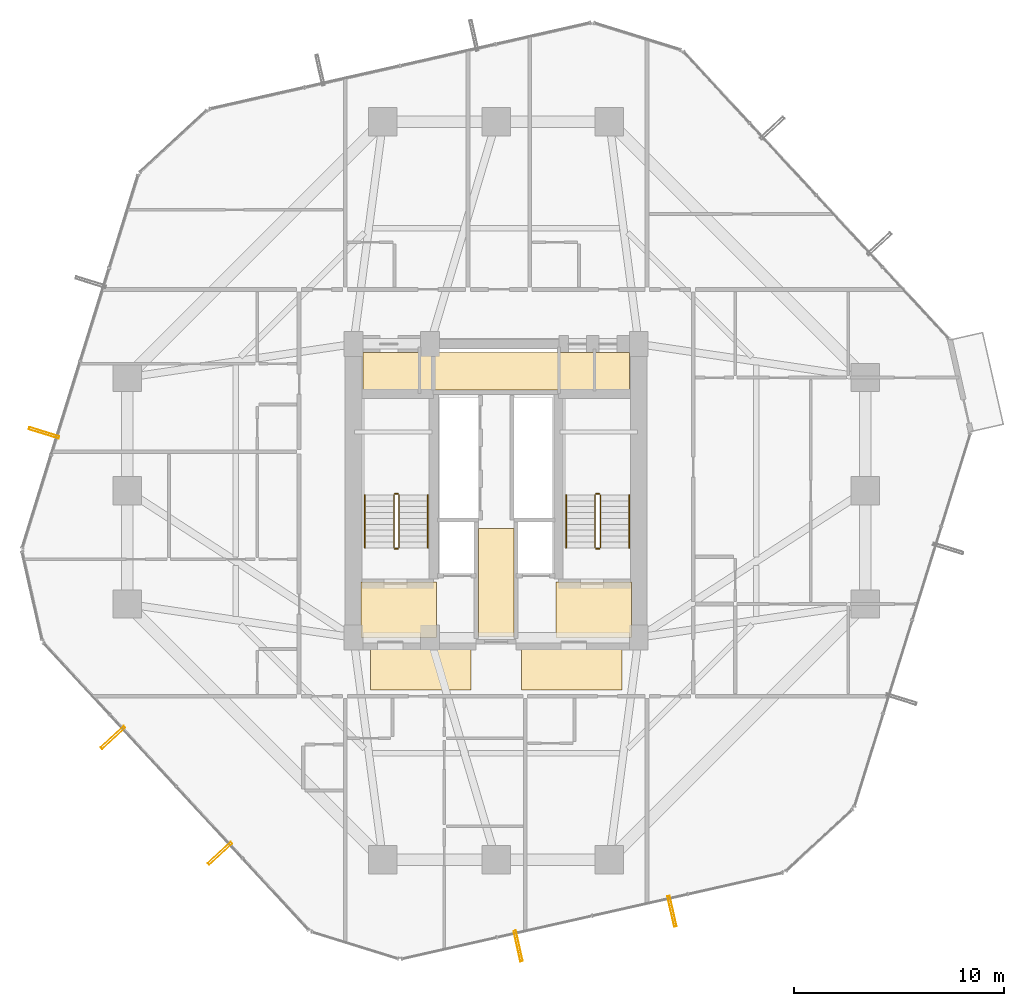
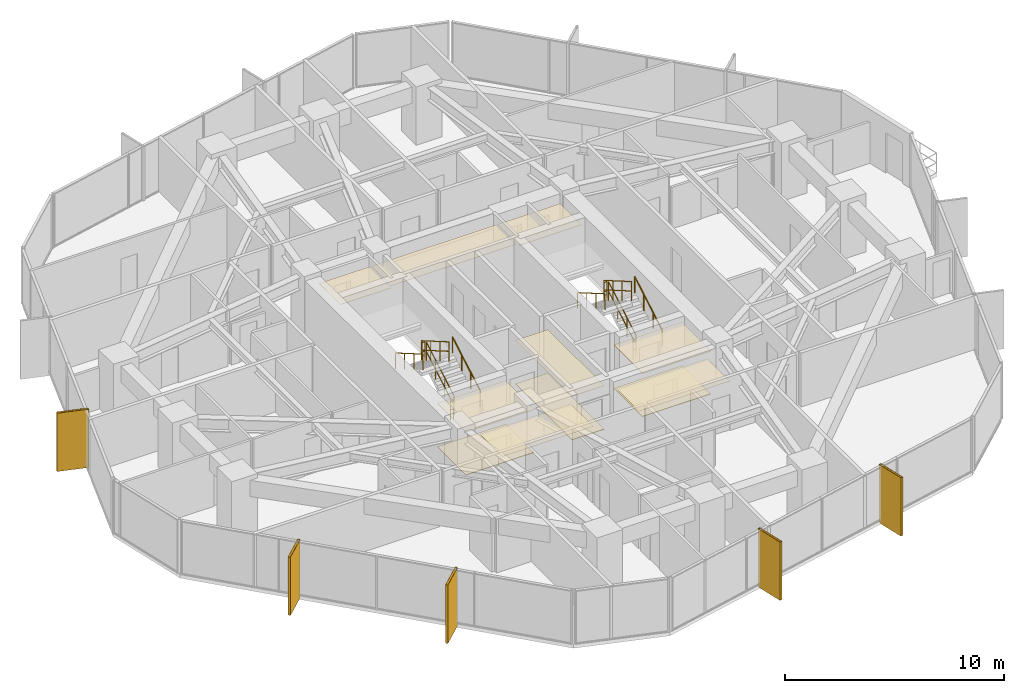
# One storey, part 38 of 39: 12 railings, 11 coverings, 5 shading devices.
"""IFC4 building model written with IfcOpenShell, lengths in metres."""

import ifcopenshell
import ifcopenshell.guid

model = None  # the IFC model being written
_history = None  # IfcOwnerHistory: only IFC2X3 demands one
_inside = {}  # id of a spatial element -> (the spatial element, [elements in it])
_under = {}  # id of a project, library or spatial element -> (it, [spatial elements below it])
_declared = {}  # id of a project -> (the project, [libraries it declares])
_typed = {}  # id of a type object -> (the type object, [elements of that type])
_made_of = {}  # id of a material, layer set ... -> (it, [elements and type objects made of it])


def new_model(schema):
    """Start an empty IFC model of exactly this schema.

    Asked for "IFC4X3", IfcOpenShell would pick the latest addendum, in which some entities
    have other attributes; the version numbers below select the first issue.
    IFC2X3 requires an IfcOwnerHistory on every rooted entity: one is made here for all.
    """
    global model, _history
    if schema == "IFC4X3":
        model = ifcopenshell.file(schema_version=(4, 3, 0, 0))
    else:
        model = ifcopenshell.file(schema=schema)
    _inside.clear()
    _under.clear()
    _declared.clear()
    _typed.clear()
    _made_of.clear()
    _history = None
    if model.schema == "IFC2X3":
        org = make("IfcOrganization", Name="unknown")
        user = make(
            "IfcPersonAndOrganization",
            ThePerson=make("IfcPerson", FamilyName="unknown"),
            TheOrganization=org,
        )
        app = make(
            "IfcApplication",
            ApplicationDeveloper=org,
            Version="unknown",
            ApplicationFullName="unknown",
            ApplicationIdentifier="unknown",
        )
        _history = make(
            "IfcOwnerHistory",
            OwningUser=user,
            OwningApplication=app,
            ChangeAction="ADDED",
            CreationDate=0,
        )
    return model


def make(cls, **values):
    """One entity of the class cls with the attributes given. An attribute that is None is left unset."""
    return model.create_entity(
        cls, **{name: value for name, value in values.items() if value is not None}
    )


def rooted(cls, **values):
    """An entity with a GlobalId (a new one), such as an element, a storey or a relation."""
    return make(cls, GlobalId=ifcopenshell.guid.new(), OwnerHistory=_history, **values)


def si_unit(unit_type, name, prefix=None):
    """IfcSIUnit, for example si_unit("LENGTHUNIT", "METRE", prefix="MILLI")."""
    return make("IfcSIUnit", UnitType=unit_type, Prefix=prefix, Name=name)


def assignment(units):
    """IfcUnitAssignment: the units of a project."""
    return None if units is None else make("IfcUnitAssignment", Units=units)


def point(xyz):
    """IfcCartesianPoint."""
    return None if xyz is None else make("IfcCartesianPoint", Coordinates=xyz)


def direction(xyz):
    """IfcDirection."""
    return None if xyz is None else make("IfcDirection", DirectionRatios=xyz)


def frame(location, z_axis=None, x_axis=None):
    """IfcAxis2Placement3D, a coordinate frame: its origin and axes. An axis left out is left unset."""
    return make(
        "IfcAxis2Placement3D",
        Location=point(location),
        Axis=direction(z_axis),
        RefDirection=direction(x_axis),
    )


def frame_2d(location, x_axis=None):
    """IfcAxis2Placement2D, a coordinate frame in the plane: its origin and x axis."""
    return make(
        "IfcAxis2Placement2D", Location=point(location), RefDirection=direction(x_axis)
    )


def origin():
    """The frame at (0, 0, 0) with its axes left unset."""
    return frame((0.0, 0.0, 0.0))


def origin_2d():
    """The frame at (0, 0) in the plane with its x axis left unset."""
    return frame_2d((0.0, 0.0))


def place(relative_to, where):
    """IfcLocalPlacement: puts the frame where relative to a parent placement (None: the world)."""
    return make(
        "IfcLocalPlacement", PlacementRelTo=relative_to, RelativePlacement=where
    )


def context(
    kind, dimensions, precision=None, world=None, true_north=None, identifier=None
):
    """IfcGeometricRepresentationContext, for example the 3D "Model" context."""
    return make(
        "IfcGeometricRepresentationContext",
        ContextIdentifier=identifier,
        ContextType=kind,
        CoordinateSpaceDimension=dimensions,
        Precision=precision,
        WorldCoordinateSystem=world,
        TrueNorth=true_north,
    )


def subcontext(parent, identifier, kind, view, scale=None):
    """IfcGeometricRepresentationSubContext, for example "Body" below "Model"."""
    return make(
        "IfcGeometricRepresentationSubContext",
        ContextIdentifier=identifier,
        ContextType=kind,
        ParentContext=parent,
        TargetScale=scale,
        TargetView=view,
    )


def project(units=None, contexts=None):
    """IfcProject with its units and contexts."""
    return rooted(
        "IfcProject",
        Name="project",
        RepresentationContexts=contexts,
        UnitsInContext=assignment(units),
    )


def spatial(cls, under=None, at=None, **own):
    """A site, building, storey or space (cls), placed at a placement, below another one or the project."""
    s = rooted(cls, ObjectPlacement=at, **own)
    if under is not None:
        _under.setdefault(under.id(), (under, []))[1].append(s)
    return s


def polyline(points):
    """IfcPolyline through the points."""
    return make("IfcPolyline", Points=[point(p) for p in points])


def profile(cls, at=None, kind="AREA", **sizes):
    """A parametric profile (cls). Its sizes go by their IFC names, for example OverallWidth=200.0."""
    return make(cls, ProfileType=kind, Position=at, **sizes)


def hollow_rectangle(**sizes):
    """IfcRectangleHollowProfileDef."""
    return profile("IfcRectangleHollowProfileDef", **sizes)


def circle(**sizes):
    """IfcCircleProfileDef."""
    return profile("IfcCircleProfileDef", **sizes)


def outline(outer, holes=None, kind="AREA"):
    """IfcArbitraryClosedProfileDef: a profile drawn as a closed curve; with holes, ...WithVoids."""
    if holes is None:
        return make("IfcArbitraryClosedProfileDef", ProfileType=kind, OuterCurve=outer)
    return make(
        "IfcArbitraryProfileDefWithVoids",
        ProfileType=kind,
        OuterCurve=outer,
        InnerCurves=holes,
    )


def extrude(swept, where, along, depth):
    """IfcExtrudedAreaSolid: the profile swept, set in the frame where, extruded along a direction by depth."""
    return make(
        "IfcExtrudedAreaSolid",
        SweptArea=swept,
        Position=where,
        ExtrudedDirection=direction(along),
        Depth=depth,
    )


def shape(context_of_items, identifier, shape_type, items):
    """IfcShapeRepresentation: the items that make up one representation, for example the "Body"."""
    return make(
        "IfcShapeRepresentation",
        ContextOfItems=context_of_items,
        RepresentationIdentifier=identifier,
        RepresentationType=shape_type,
        Items=items,
    )


def material(Name=None, Category=None):
    """IfcMaterial."""
    return make("IfcMaterial", Name=Name, Category=Category)


def layer(
    of_material, thickness, ventilated=None, Name=None, Category=None, Priority=None
):
    """IfcMaterialLayer: one layer of a wall or slab, of a material (None: an air gap)."""
    return make(
        "IfcMaterialLayer",
        Material=of_material,
        LayerThickness=thickness,
        IsVentilated=ventilated,
        Name=Name,
        Category=Category,
        Priority=Priority,
    )


def layer_set(layers, Name=None):
    """IfcMaterialLayerSet."""
    return make("IfcMaterialLayerSet", MaterialLayers=layers, LayerSetName=Name)


def material_profile(
    of_material, cross_section, Name=None, Category=None, Priority=None
):
    """IfcMaterialProfile: a cross section and its material."""
    return make(
        "IfcMaterialProfile",
        Name=Name,
        Material=of_material,
        Profile=cross_section,
        Priority=Priority,
        Category=Category,
    )


def profile_set(profiles, Name=None, composite=None):
    """IfcMaterialProfileSet."""
    return make(
        "IfcMaterialProfileSet",
        Name=Name,
        MaterialProfiles=profiles,
        CompositeProfile=composite,
    )


def made_of(thing, what):
    """Note that an element or type object is made of a material, layer set ...; save() writes the relation."""
    if what is not None:
        _made_of.setdefault(what.id(), (what, []))[1].append(thing)
    return thing


def type_object(cls, material=None, **own):
    """A type object (cls), such as IfcWallType, which elements share."""
    return made_of(rooted(cls, **own), material)


def element(
    cls,
    number,
    at=None,
    inside=None,
    cuts=None,
    type_object=None,
    material=None,
    context=None,
    identifier="Body",
    shape_type=None,
    held_by="IfcProductDefinitionShape",
    body=None,
    shapes=None,
    **own,
):
    """One element of the class cls, such as IfcWall. Its Tag is "e" and its number.

    at: its placement. inside: the storey or other place that contains it. cuts: it is an
    opening in that element (IfcRelVoidsElement). A single representation is given by context,
    identifier, shape_type and body (its items); several are given by shapes. held_by: the class
    of the entity that holds the representations. save() writes the other relations.
    """
    e = rooted(cls, Tag="e%d" % number, ObjectPlacement=at, **own)
    if body is not None:
        shapes = [shape(context, identifier, shape_type, body)]
    if shapes is not None:
        e.Representation = make(held_by, Representations=shapes)
    if inside is not None:
        _inside.setdefault(inside.id(), (inside, []))[1].append(e)
    if cuts is not None:
        rooted(
            "IfcRelVoidsElement", RelatingBuildingElement=cuts, RelatedOpeningElement=e
        )
    if type_object is not None:
        _typed.setdefault(type_object.id(), (type_object, []))[1].append(e)
    return made_of(e, material)


def aggregate(whole, parts):
    """IfcRelAggregates: a whole, such as a stair, and the parts it consists of."""
    return rooted("IfcRelAggregates", RelatingObject=whole, RelatedObjects=parts)


def save(model, path):
    """Write the relations noted so far, then the file.

    IfcRelAggregates (storeys below a building ...), IfcRelContainedInSpatialStructure (elements
    in a storey), IfcRelDefinesByType, IfcRelAssociatesMaterial and IfcRelDeclares: one each for
    every whole, place, type object, material and project.
    """
    for whole, parts in _under.values():
        aggregate(whole, parts)
    for where, things in _inside.values():
        rooted(
            "IfcRelContainedInSpatialStructure",
            RelatedElements=things,
            RelatingStructure=where,
        )
    for kind, things in _typed.values():
        rooted("IfcRelDefinesByType", RelatedObjects=things, RelatingType=kind)
    for what, things in _made_of.values():
        rooted("IfcRelAssociatesMaterial", RelatedObjects=things, RelatingMaterial=what)
    for by, libraries in _declared.values():
        rooted("IfcRelDeclares", RelatingContext=by, RelatedDefinitions=libraries)
    model.write(path)


model = new_model("IFC4")

# Units and contexts
model_context = context("Model", 3, precision=1e-05, world=origin(), true_north=direction((0.0, 1.0)))
body_context = subcontext(model_context, "Body", "Model", "MODEL_VIEW")
ifc_project = project(units=[si_unit("LENGTHUNIT", "METRE"), si_unit("AREAUNIT", "SQUARE_METRE"), si_unit("VOLUMEUNIT", "CUBIC_METRE"), si_unit("PLANEANGLEUNIT", "RADIAN"), si_unit("MASSUNIT", "GRAM", prefix="KILO")], contexts=[model_context])

# Site, building, storey
site_placement = place(None, origin())
site = spatial("IfcSite", under=ifc_project, at=site_placement, CompositionType="ELEMENT")
building_placement = place(site_placement, origin())
building = spatial("IfcBuilding", under=site, at=building_placement, Name="Veraguas Prism Commons", CompositionType="ELEMENT")
storey_placement = place(building_placement, frame((0.0, 0.0, 67.35009765625)))
storey = spatial("IfcBuildingStorey", under=building, at=storey_placement, Name="L18", CompositionType="ELEMENT", Elevation=67.35009765625)

# Shading devices
ifc_material_1 = material(Name="Anodised aluminium EN AW-6063 T6", Category="aluminium")
ifc_material_profile = material_profile(ifc_material_1, hollow_rectangle(XDim=0.1201171875, YDim=1.489990234375, WallThickness=0.006103515625, at=origin_2d()), Name="FIN120X1490X6")
ifc_profile_set = profile_set([ifc_material_profile], Name="Anodised aluminium EN AW-6063 T6")
shading_device_type = type_object("IfcShadingDeviceType", Name="Deep Pale-Metal Vertical Solar Fin 120x1490", PredefinedType="USERDEFINED", material=ifc_profile_set)
for number, where, z_axis, x_axis, name in (
    (1, (2.438720703125, 26.760986328125, -0.22998046875), (0.0, 0.0, 1.0), (-0.296709919616, -0.954967655788, 0.0), "Vertical Pale-Metal Solar Fin L18-F3B"),
    (2, (5.7236328125, 12.23193359375, -0.22998046875), (0.0, 0.0, 1.0), (0.67867385358, -0.734439786822, 0.0), "Vertical Pale-Metal Solar Fin L18-F4A"),
    (3, (10.828369140625, 6.707763671875, -0.22998046875), (0.0, 0.0, 1.0), (0.67867385358, -0.734439786822, 0.0), "Vertical Pale-Metal Solar Fin L18-F4B"),
    (4, (25.05322265625, 2.2880859375, -0.22998046875), (0.0, 0.0, 1.0), (0.975380439728, 0.220528904673, 0.0), "Vertical Pale-Metal Solar Fin L18-F5A"),
    (5, (32.3896484375, 3.94677734375, -0.22998046875), (0.0, 0.0, 1.0), (0.975380439728, 0.220528904673, 0.0), "Vertical Pale-Metal Solar Fin L18-F5B"),
):
    element("IfcShadingDevice", number, at=place(storey_placement, frame(where, z_axis=z_axis, x_axis=x_axis)), inside=storey, type_object=shading_device_type, Name=name, ObjectType="FIN", PredefinedType="USERDEFINED", context=body_context, shape_type="SweptSolid", body=[
        extrude(hollow_rectangle(XDim=0.1201171875, YDim=1.489990234375, WallThickness=0.006103515625, at=origin_2d()), origin(), (0.0, 0.0, 1.0), 3.25),
    ])

# Coverings
ifc_material_2 = material(Name="Acoustic gypsum board")
ifc_layer_1 = layer(ifc_material_2, 0.02490234375, Name="Perforated Acoustic Ceiling Tile 25")
ifc_layer_set_1 = layer_set([ifc_layer_1], Name="Acoustic gypsum board")
covering_type_1 = type_object("IfcCoveringType", Name="Perforated Acoustic Ceiling Tile 25", PredefinedType="USERDEFINED", material=ifc_layer_set_1)
covering_1_placement = place(storey_placement, frame((0.0, 0.0, 2.4248046875)))
element("IfcCovering", 6, at=covering_1_placement, inside=storey, type_object=covering_type_1, Name="East Lobby Acoustic Ceiling L18", ObjectType="ACOUSTIC CEILING", PredefinedType="USERDEFINED", context=body_context, shape_type="SweptSolid", body=[
    extrude(outline(polyline([(26.85009765625, 17.0), (30.449951171875, 17.0), (30.449951171875, 19.64990234375), (26.85009765625, 19.64990234375), (26.85009765625, 17.0)])), origin(), (0.0, 0.0, 1.0), 0.025146484375),
])
ifc_material_3 = material(Name="Terrazzo stone finish", Category="masonry")
ifc_layer_2 = layer(ifc_material_3, 0.030029296875, Name="Polished Terrazzo Floor Finish 30", Category="masonry")
ifc_layer_set_2 = layer_set([ifc_layer_2], Name="Terrazzo stone finish")
covering_type_2 = type_object("IfcCoveringType", Name="Polished Terrazzo Floor Finish 30", PredefinedType="FLOORING", material=ifc_layer_set_2)
covering_2_placement = place(storey_placement, origin())
element("IfcCovering", 7, at=covering_2_placement, inside=storey, type_object=covering_type_2, Name="Terrazzo Lobby Flooring L18", PredefinedType="FLOORING", context=body_context, shape_type="SweptSolid", body=[
    extrude(outline(polyline([(23.14990234375, 17.050048828125), (24.85009765625, 17.050048828125), (24.85009765625, 22.199951171875), (23.14990234375, 22.199951171875), (23.14990234375, 17.050048828125)])), origin(), (0.0, 0.0, 1.0), 0.02978515625),
])
covering_3_placement = place(storey_placement, origin())
element("IfcCovering", 8, at=covering_3_placement, inside=storey, type_object=covering_type_2, Name="West FF Lobby Terrazzo Flooring L18", PredefinedType="FLOORING", context=body_context, shape_type="SweptSolid", body=[
    extrude(outline(polyline([(17.550048828125, 17.050048828125), (21.14990234375, 17.050048828125), (21.14990234375, 19.64990234375), (17.550048828125, 19.64990234375), (17.550048828125, 17.050048828125)])), origin(), (0.0, 0.0, 1.0), 0.02978515625),
])
covering_4_placement = place(storey_placement, origin())
element("IfcCovering", 9, at=covering_4_placement, inside=storey, type_object=covering_type_2, Name="East FF Lobby Terrazzo Flooring L18", PredefinedType="FLOORING", context=body_context, shape_type="SweptSolid", body=[
    extrude(outline(polyline([(26.85009765625, 17.050048828125), (30.449951171875, 17.050048828125), (30.449951171875, 19.64990234375), (26.85009765625, 19.64990234375), (26.85009765625, 17.050048828125)])), origin(), (0.0, 0.0, 1.0), 0.02978515625),
])

# Railings
ifc_material_4 = material(Name="Stainless steel AISI 316", Category="steel")
railing_type_1 = type_object("IfcRailingType", Name="Stair and Ramp Stainless Handrail 900", PredefinedType="HANDRAIL", material=ifc_material_4)
railing_1_placement = place(storey_placement, frame((20.75, 21.280029296875, 0.162353515625)))
element("IfcRailing", 10, at=railing_1_placement, inside=storey, type_object=railing_type_1, Name="Stair Handrail ST-01 L18-1", PredefinedType="HANDRAIL", context=body_context, shape_type="SweptSolid", body=[
    extrude(circle(Radius=0.02392578125, at=origin_2d()), frame((0.0, 0.0, 0.8759765625), z_axis=(0.0, 0.864876961378, 0.501983905795), x_axis=(-1.0, 0.0, 0.0)), (0.0, 0.0, 1.0), 2.913818359375),
    extrude(circle(Radius=0.02099609375, at=origin_2d()), origin(), (0.0, 0.0, 1.0), 0.851806640625),
    extrude(circle(Radius=0.02099609375, at=origin_2d()), frame((0.0, 0.840087890625, 0.487548828125)), (0.0, 0.0, 1.0), 0.851806640625),
    extrude(circle(Radius=0.02099609375, at=origin_2d()), frame((0.0, 1.679931640625, 0.97509765625)), (0.0, 0.0, 1.0), 0.851806640625),
    extrude(circle(Radius=0.02099609375, at=origin_2d()), frame((0.0, 2.52001953125, 1.462646484375)), (0.0, 0.0, 1.0), 0.851806640625),
])
railing_2_placement = place(storey_placement, frame((17.739990234375, 23.800048828125, 1.787353515625)))
element("IfcRailing", 11, at=railing_2_placement, inside=storey, type_object=railing_type_1, Name="Stair Handrail ST-01 L18-2", PredefinedType="HANDRAIL", context=body_context, shape_type="SweptSolid", body=[
    extrude(circle(Radius=0.02392578125, at=origin_2d()), frame((0.0, 0.0, 0.8759765625), z_axis=(0.0, -0.864876961378, 0.501983905795), x_axis=(1.0, 0.0, 0.0)), (0.0, 0.0, 1.0), 2.913818359375),
    extrude(circle(Radius=0.02099609375, at=origin_2d()), origin(), (0.0, 0.0, 1.0), 0.851806640625),
    extrude(circle(Radius=0.02099609375, at=origin_2d()), frame((0.0, -0.840087890625, 0.487548828125)), (0.0, 0.0, 1.0), 0.851806640625),
    extrude(circle(Radius=0.02099609375, at=origin_2d()), frame((0.0, -1.679931640625, 0.97509765625)), (0.0, 0.0, 1.0), 0.851806640625),
    extrude(circle(Radius=0.02099609375, at=origin_2d()), frame((0.0, -2.52001953125, 1.462646484375)), (0.0, 0.0, 1.0), 0.851806640625),
])
railing_3_placement = place(storey_placement, frame((30.35009765625, 21.280029296875, 0.162353515625)))
element("IfcRailing", 12, at=railing_3_placement, inside=storey, type_object=railing_type_1, Name="Stair Handrail ST-02 L18-1", PredefinedType="HANDRAIL", context=body_context, shape_type="SweptSolid", body=[
    extrude(circle(Radius=0.02392578125, at=origin_2d()), frame((0.0, 0.0, 0.8759765625), z_axis=(0.0, 0.864876961378, 0.501983905795), x_axis=(-1.0, 0.0, 0.0)), (0.0, 0.0, 1.0), 2.913818359375),
    extrude(circle(Radius=0.02099609375, at=origin_2d()), origin(), (0.0, 0.0, 1.0), 0.851806640625),
    extrude(circle(Radius=0.02099609375, at=origin_2d()), frame((0.0, 0.840087890625, 0.487548828125)), (0.0, 0.0, 1.0), 0.851806640625),
    extrude(circle(Radius=0.02099609375, at=origin_2d()), frame((0.0, 1.679931640625, 0.97509765625)), (0.0, 0.0, 1.0), 0.851806640625),
    extrude(circle(Radius=0.02099609375, at=origin_2d()), frame((0.0, 2.52001953125, 1.462646484375)), (0.0, 0.0, 1.0), 0.851806640625),
])
railing_4_placement = place(storey_placement, frame((27.340087890625, 23.800048828125, 1.787353515625)))
element("IfcRailing", 13, at=railing_4_placement, inside=storey, type_object=railing_type_1, Name="Stair Handrail ST-02 L18-2", PredefinedType="HANDRAIL", context=body_context, shape_type="SweptSolid", body=[
    extrude(circle(Radius=0.02392578125, at=origin_2d()), frame((0.0, 0.0, 0.8759765625), z_axis=(0.0, -0.864876961378, 0.501983905795), x_axis=(1.0, 0.0, 0.0)), (0.0, 0.0, 1.0), 2.913818359375),
    extrude(circle(Radius=0.02099609375, at=origin_2d()), origin(), (0.0, 0.0, 1.0), 0.851806640625),
    extrude(circle(Radius=0.02099609375, at=origin_2d()), frame((0.0, -0.840087890625, 0.487548828125)), (0.0, 0.0, 1.0), 0.851806640625),
    extrude(circle(Radius=0.02099609375, at=origin_2d()), frame((0.0, -1.679931640625, 0.97509765625)), (0.0, 0.0, 1.0), 0.851806640625),
    extrude(circle(Radius=0.02099609375, at=origin_2d()), frame((0.0, -2.52001953125, 1.462646484375)), (0.0, 0.0, 1.0), 0.851806640625),
])
railing_type_2 = type_object("IfcRailingType", Name="Stairwell Safety Guardrail 1100", PredefinedType="GUARDRAIL", material=ifc_material_4)
railing_5_placement = place(storey_placement, frame((19.3701171875, 21.280029296875, 0.162353515625)))
element("IfcRailing", 14, at=railing_5_placement, inside=storey, type_object=railing_type_2, Name="Stair Guard ST-01 L18-1", PredefinedType="GUARDRAIL", context=body_context, shape_type="SweptSolid", body=[
    extrude(circle(Radius=0.02392578125, at=origin_2d()), frame((0.0, 0.0, 1.076171875), z_axis=(0.0, 0.864876961378, 0.501983905795), x_axis=(-1.0, 0.0, 0.0)), (0.0, 0.0, 1.0), 2.913818359375),
    extrude(circle(Radius=0.02392578125, at=origin_2d()), frame((0.0, 0.0, 0.550048828125), z_axis=(0.0, 0.864876961378, 0.501983905795), x_axis=(-1.0, 0.0, 0.0)), (0.0, 0.0, 1.0), 2.913818359375),
    extrude(circle(Radius=0.02099609375, at=origin_2d()), origin(), (0.0, 0.0, 1.0), 1.052001953125),
    extrude(circle(Radius=0.02099609375, at=origin_2d()), frame((0.0, 0.840087890625, 0.487548828125)), (0.0, 0.0, 1.0), 1.052001953125),
    extrude(circle(Radius=0.02099609375, at=origin_2d()), frame((0.0, 1.679931640625, 0.97509765625)), (0.0, 0.0, 1.0), 1.052001953125),
    extrude(circle(Radius=0.02099609375, at=origin_2d()), frame((0.0, 2.52001953125, 1.462646484375)), (0.0, 0.0, 1.0), 1.052001953125),
])
railing_6_placement = place(storey_placement, frame((19.320068359375, 23.85009765625, 1.625)))
element("IfcRailing", 15, at=railing_6_placement, inside=storey, type_object=railing_type_2, Name="Stair Guard ST-01 L18-2", PredefinedType="GUARDRAIL", context=body_context, shape_type="SweptSolid", body=[
    extrude(circle(Radius=0.02392578125, at=origin_2d()), frame((0.0, 0.0, 1.076171875), z_axis=(-1.0, 0.0, 0.0), x_axis=(0.0, -1.0, 0.0)), (0.0, 0.0, 1.0), 0.150146484375),
    extrude(circle(Radius=0.02392578125, at=origin_2d()), frame((0.0, 0.0, 0.550048828125), z_axis=(-1.0, 0.0, 0.0), x_axis=(0.0, -1.0, 0.0)), (0.0, 0.0, 1.0), 0.150146484375),
    extrude(circle(Radius=0.02099609375, at=origin_2d()), origin(), (0.0, 0.0, 1.0), 1.052001953125),
    extrude(circle(Radius=0.02099609375, at=origin_2d()), frame((-0.150146484375, 0.0, 0.0)), (0.0, 0.0, 1.0), 1.052001953125),
])
railing_7_placement = place(storey_placement, frame((19.1201171875, 23.800048828125, 1.787353515625)))
element("IfcRailing", 16, at=railing_7_placement, inside=storey, type_object=railing_type_2, Name="Stair Guard ST-01 L18-3", PredefinedType="GUARDRAIL", context=body_context, shape_type="SweptSolid", body=[
    extrude(circle(Radius=0.02392578125, at=origin_2d()), frame((0.0, 0.0, 1.076171875), z_axis=(0.0, -0.864876961378, 0.501983905795), x_axis=(1.0, 0.0, 0.0)), (0.0, 0.0, 1.0), 2.913818359375),
    extrude(circle(Radius=0.02392578125, at=origin_2d()), frame((0.0, 0.0, 0.550048828125), z_axis=(0.0, -0.864876961378, 0.501983905795), x_axis=(1.0, 0.0, 0.0)), (0.0, 0.0, 1.0), 2.913818359375),
    extrude(circle(Radius=0.02099609375, at=origin_2d()), origin(), (0.0, 0.0, 1.0), 1.052001953125),
    extrude(circle(Radius=0.02099609375, at=origin_2d()), frame((0.0, -0.840087890625, 0.487548828125)), (0.0, 0.0, 1.0), 1.052001953125),
    extrude(circle(Radius=0.02099609375, at=origin_2d()), frame((0.0, -1.679931640625, 0.97509765625)), (0.0, 0.0, 1.0), 1.052001953125),
    extrude(circle(Radius=0.02099609375, at=origin_2d()), frame((0.0, -2.52001953125, 1.462646484375)), (0.0, 0.0, 1.0), 1.052001953125),
])
railing_8_placement = place(storey_placement, frame((19.320068359375, 21.22998046875, 0.0)))
element("IfcRailing", 17, at=railing_8_placement, inside=storey, type_object=railing_type_2, Name="Stair Guard ST-01 L18-4", PredefinedType="GUARDRAIL", context=body_context, shape_type="SweptSolid", body=[
    extrude(circle(Radius=0.02392578125, at=origin_2d()), frame((0.0, 0.0, 1.076171875), z_axis=(-1.0, 0.0, 0.0), x_axis=(0.0, -1.0, 0.0)), (0.0, 0.0, 1.0), 0.150146484375),
    extrude(circle(Radius=0.02392578125, at=origin_2d()), frame((0.0, 0.0, 0.550048828125), z_axis=(-1.0, 0.0, 0.0), x_axis=(0.0, -1.0, 0.0)), (0.0, 0.0, 1.0), 0.150146484375),
    extrude(circle(Radius=0.02099609375, at=origin_2d()), origin(), (0.0, 0.0, 1.0), 1.052001953125),
    extrude(circle(Radius=0.02099609375, at=origin_2d()), frame((-0.150146484375, 0.0, 0.0)), (0.0, 0.0, 1.0), 1.052001953125),
])
railing_9_placement = place(storey_placement, frame((28.969970703125, 21.280029296875, 0.162353515625)))
element("IfcRailing", 18, at=railing_9_placement, inside=storey, type_object=railing_type_2, Name="Stair Guard ST-02 L18-1", PredefinedType="GUARDRAIL", context=body_context, shape_type="SweptSolid", body=[
    extrude(circle(Radius=0.02392578125, at=origin_2d()), frame((0.0, 0.0, 1.076171875), z_axis=(0.0, 0.864876961378, 0.501983905795), x_axis=(-1.0, 0.0, 0.0)), (0.0, 0.0, 1.0), 2.913818359375),
    extrude(circle(Radius=0.02392578125, at=origin_2d()), frame((0.0, 0.0, 0.550048828125), z_axis=(0.0, 0.864876961378, 0.501983905795), x_axis=(-1.0, 0.0, 0.0)), (0.0, 0.0, 1.0), 2.913818359375),
    extrude(circle(Radius=0.02099609375, at=origin_2d()), origin(), (0.0, 0.0, 1.0), 1.052001953125),
    extrude(circle(Radius=0.02099609375, at=origin_2d()), frame((0.0, 0.840087890625, 0.487548828125)), (0.0, 0.0, 1.0), 1.052001953125),
    extrude(circle(Radius=0.02099609375, at=origin_2d()), frame((0.0, 1.679931640625, 0.97509765625)), (0.0, 0.0, 1.0), 1.052001953125),
    extrude(circle(Radius=0.02099609375, at=origin_2d()), frame((0.0, 2.52001953125, 1.462646484375)), (0.0, 0.0, 1.0), 1.052001953125),
])
railing_10_placement = place(storey_placement, frame((28.919921875, 23.85009765625, 1.625)))
element("IfcRailing", 19, at=railing_10_placement, inside=storey, type_object=railing_type_2, Name="Stair Guard ST-02 L18-2", PredefinedType="GUARDRAIL", context=body_context, shape_type="SweptSolid", body=[
    extrude(circle(Radius=0.02392578125, at=origin_2d()), frame((0.0, 0.0, 1.076171875), z_axis=(-1.0, 0.0, 0.0), x_axis=(0.0, -1.0, 0.0)), (0.0, 0.0, 1.0), 0.14990234375),
    extrude(circle(Radius=0.02392578125, at=origin_2d()), frame((0.0, 0.0, 0.550048828125), z_axis=(-1.0, 0.0, 0.0), x_axis=(0.0, -1.0, 0.0)), (0.0, 0.0, 1.0), 0.14990234375),
    extrude(circle(Radius=0.02099609375, at=origin_2d()), origin(), (0.0, 0.0, 1.0), 1.052001953125),
    extrude(circle(Radius=0.02099609375, at=origin_2d()), frame((-0.14990234375, 0.0, 0.0)), (0.0, 0.0, 1.0), 1.052001953125),
])
railing_11_placement = place(storey_placement, frame((28.719970703125, 23.800048828125, 1.787353515625)))
element("IfcRailing", 20, at=railing_11_placement, inside=storey, type_object=railing_type_2, Name="Stair Guard ST-02 L18-3", PredefinedType="GUARDRAIL", context=body_context, shape_type="SweptSolid", body=[
    extrude(circle(Radius=0.02392578125, at=origin_2d()), frame((0.0, 0.0, 1.076171875), z_axis=(0.0, -0.864876961378, 0.501983905795), x_axis=(1.0, 0.0, 0.0)), (0.0, 0.0, 1.0), 2.913818359375),
    extrude(circle(Radius=0.02392578125, at=origin_2d()), frame((0.0, 0.0, 0.550048828125), z_axis=(0.0, -0.864876961378, 0.501983905795), x_axis=(1.0, 0.0, 0.0)), (0.0, 0.0, 1.0), 2.913818359375),
    extrude(circle(Radius=0.02099609375, at=origin_2d()), origin(), (0.0, 0.0, 1.0), 1.052001953125),
    extrude(circle(Radius=0.02099609375, at=origin_2d()), frame((0.0, -0.840087890625, 0.487548828125)), (0.0, 0.0, 1.0), 1.052001953125),
    extrude(circle(Radius=0.02099609375, at=origin_2d()), frame((0.0, -1.679931640625, 0.97509765625)), (0.0, 0.0, 1.0), 1.052001953125),
    extrude(circle(Radius=0.02099609375, at=origin_2d()), frame((0.0, -2.52001953125, 1.462646484375)), (0.0, 0.0, 1.0), 1.052001953125),
])
railing_12_placement = place(storey_placement, frame((28.919921875, 21.22998046875, 0.0)))
element("IfcRailing", 21, at=railing_12_placement, inside=storey, type_object=railing_type_2, Name="Stair Guard ST-02 L18-4", PredefinedType="GUARDRAIL", context=body_context, shape_type="SweptSolid", body=[
    extrude(circle(Radius=0.02392578125, at=origin_2d()), frame((0.0, 0.0, 1.076171875), z_axis=(-1.0, 0.0, 0.0), x_axis=(0.0, -1.0, 0.0)), (0.0, 0.0, 1.0), 0.14990234375),
    extrude(circle(Radius=0.02392578125, at=origin_2d()), frame((0.0, 0.0, 0.550048828125), z_axis=(-1.0, 0.0, 0.0), x_axis=(0.0, -1.0, 0.0)), (0.0, 0.0, 1.0), 0.14990234375),
    extrude(circle(Radius=0.02099609375, at=origin_2d()), origin(), (0.0, 0.0, 1.0), 1.052001953125),
    extrude(circle(Radius=0.02099609375, at=origin_2d()), frame((-0.14990234375, 0.0, 0.0)), (0.0, 0.0, 1.0), 1.052001953125),
])

# Coverings
ifc_layer_3 = layer(ifc_material_2, 0.02001953125, Name="Suspended Gypsum Ceiling 20")
ifc_layer_set_3 = layer_set([ifc_layer_3], Name="Acoustic gypsum board")
covering_type_3 = type_object("IfcCoveringType", Name="Suspended Gypsum Ceiling 20", PredefinedType="CEILING", material=ifc_layer_set_3)
covering_5_placement = place(storey_placement, frame((0.0, 0.0, 2.429931640625)))
element("IfcCovering", 22, at=covering_5_placement, inside=storey, type_object=covering_type_3, Name="West Lobby Suspended Gypsum Ceiling L18", PredefinedType="CEILING", context=body_context, shape_type="SweptSolid", body=[
    extrude(outline(polyline([(17.550048828125, 17.0), (21.14990234375, 17.0), (21.14990234375, 19.64990234375), (17.550048828125, 19.64990234375), (17.550048828125, 17.0)])), origin(), (0.0, 0.0, 1.0), 0.02001953125),
])
covering_6_placement = place(storey_placement, frame((0.0, 0.0, 2.429931640625)))
element("IfcCovering", 23, at=covering_6_placement, inside=storey, type_object=covering_type_3, Name="Core Lobby Acoustic Ceiling L18-1", PredefinedType="CEILING", context=body_context, shape_type="SweptSolid", body=[
    extrude(outline(polyline([(18.0, 14.5), (22.800048828125, 14.5), (22.800048828125, 16.550048828125), (18.0, 16.550048828125), (18.0, 14.5)])), origin(), (0.0, 0.0, 1.0), 0.02001953125),
])
covering_7_placement = place(storey_placement, frame((0.0, 0.0, 2.429931640625)))
element("IfcCovering", 24, at=covering_7_placement, inside=storey, type_object=covering_type_3, Name="Core Lobby Acoustic Ceiling L18-2", PredefinedType="CEILING", context=body_context, shape_type="SweptSolid", body=[
    extrude(outline(polyline([(25.199951171875, 14.5), (30.0, 14.5), (30.0, 16.550048828125), (25.199951171875, 16.550048828125), (25.199951171875, 14.5)])), origin(), (0.0, 0.0, 1.0), 0.02001953125),
])
covering_8_placement = place(storey_placement, frame((0.0, 0.0, 2.429931640625)))
element("IfcCovering", 25, at=covering_8_placement, inside=storey, type_object=covering_type_3, Name="Core Lobby Acoustic Ceiling L18-3", PredefinedType="CEILING", context=body_context, shape_type="SweptSolid", body=[
    extrude(outline(polyline([(23.14990234375, 17.050048828125), (24.85009765625, 17.050048828125), (24.85009765625, 22.199951171875), (23.14990234375, 22.199951171875), (23.14990234375, 17.050048828125)])), origin(), (0.0, 0.0, 1.0), 0.02001953125),
])
covering_9_placement = place(storey_placement, frame((0.0, 0.0, 2.429931640625)))
element("IfcCovering", 26, at=covering_9_placement, inside=storey, type_object=covering_type_3, Name="Core Lobby Acoustic Ceiling L18-4", PredefinedType="CEILING", context=body_context, shape_type="SweptSolid", body=[
    extrude(outline(polyline([(17.64990234375, 28.64990234375), (20.300048828125, 28.64990234375), (20.300048828125, 30.60009765625), (17.64990234375, 30.60009765625), (17.64990234375, 28.64990234375)])), origin(), (0.0, 0.0, 1.0), 0.02001953125),
])
covering_10_placement = place(storey_placement, frame((0.0, 0.0, 2.429931640625)))
element("IfcCovering", 27, at=covering_10_placement, inside=storey, type_object=covering_type_3, Name="Core Lobby Acoustic Ceiling L18-5", PredefinedType="CEILING", context=body_context, shape_type="SweptSolid", body=[
    extrude(outline(polyline([(27.050048828125, 28.64990234375), (30.35009765625, 28.64990234375), (30.35009765625, 30.60009765625), (27.050048828125, 30.60009765625), (27.050048828125, 28.64990234375)])), origin(), (0.0, 0.0, 1.0), 0.02001953125),
])
covering_11_placement = place(storey_placement, frame((0.0, 0.0, 2.429931640625)))
element("IfcCovering", 28, at=covering_11_placement, inside=storey, type_object=covering_type_3, Name="Core Lobby Acoustic Ceiling L18-6", PredefinedType="CEILING", context=body_context, shape_type="SweptSolid", body=[
    extrude(outline(polyline([(20.39990234375, 28.800048828125), (26.949951171875, 28.800048828125), (26.949951171875, 30.60009765625), (20.39990234375, 30.60009765625), (20.39990234375, 28.800048828125)])), origin(), (0.0, 0.0, 1.0), 0.02001953125),
])

save(model, "model.ifc")
